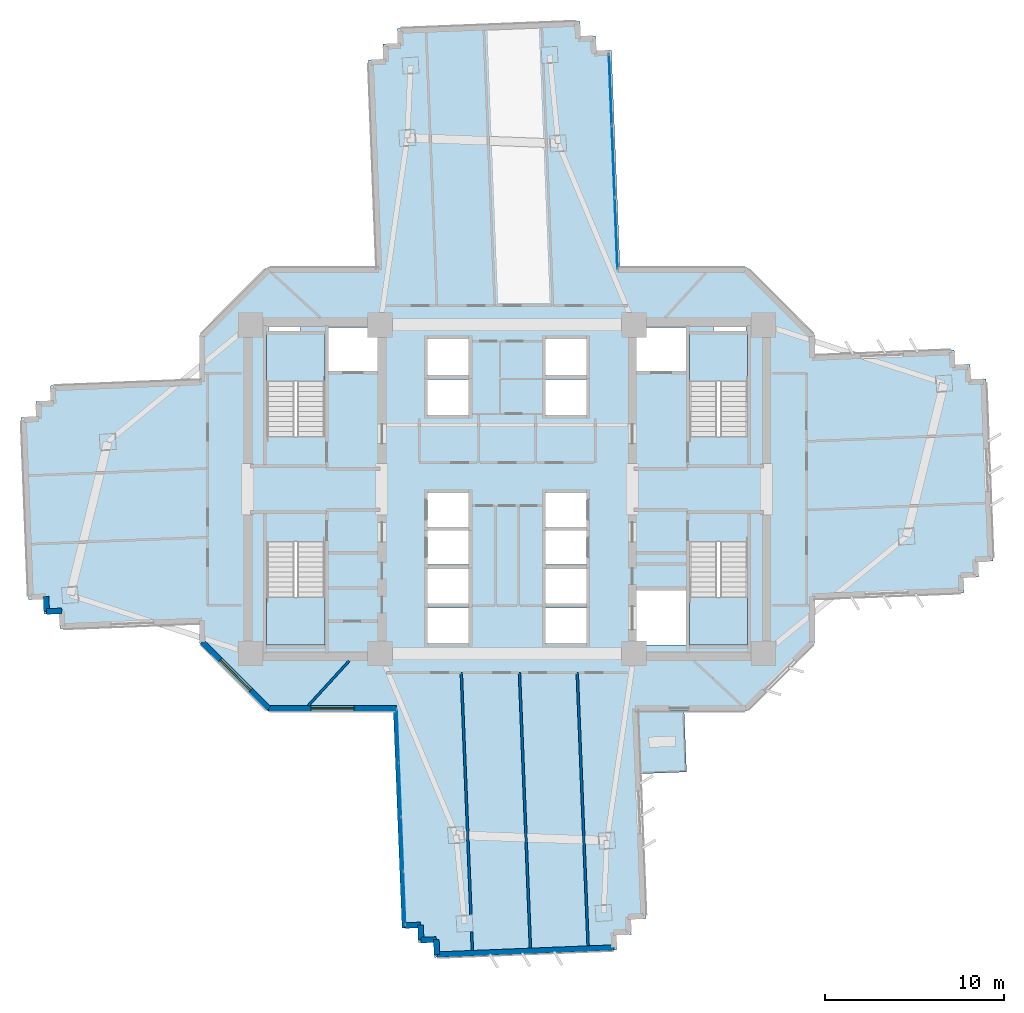
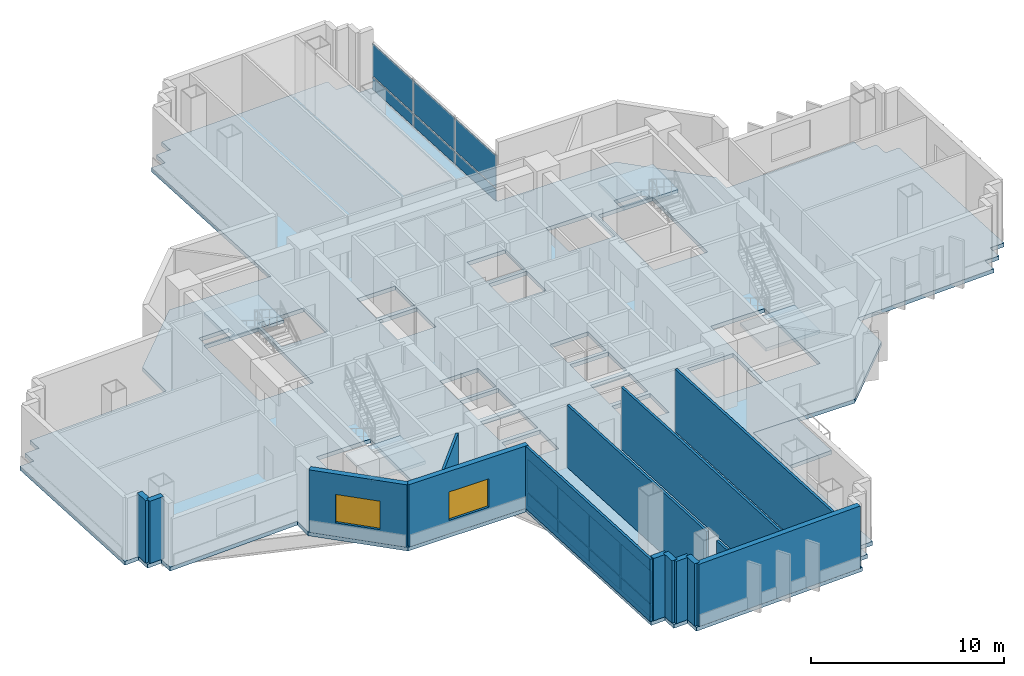
# One storey, part 5 of 16: 15 walls, 14 plates, 6 slabs, 2 windows, 2 openings, 6 elements without a shape of their own.
"""IFC4 building model written with IfcOpenShell, lengths in metres."""

from ifc_helpers import new_model, si_unit, direction, frame, frame_2d, origin, origin_2d, place, context, subcontext, project, spatial, polyline, rectangle, outline, extrude, source, transform, mapped, material, layer, layer_set, type_object, element, fill, aggregate, save


model = new_model("IFC4")

# Units and contexts
model_context = context("Model", 3, precision=1e-05, world=origin(), true_north=direction((0.0, 1.0)))
body_context = subcontext(model_context, "Body", "Model", "MODEL_VIEW")
ifc_project = project(units=[si_unit("LENGTHUNIT", "METRE"), si_unit("AREAUNIT", "SQUARE_METRE"), si_unit("VOLUMEUNIT", "CUBIC_METRE"), si_unit("PLANEANGLEUNIT", "RADIAN"), si_unit("MASSUNIT", "GRAM", prefix="KILO")], contexts=[model_context])

# Site, building, storey
site_placement = place(None, origin())
site = spatial("IfcSite", under=ifc_project, at=site_placement, CompositionType="ELEMENT")
building_placement = place(site_placement, origin())
building = spatial("IfcBuilding", under=site, at=building_placement, Name="Zahravan Cultural Tower", CompositionType="ELEMENT")
storey_placement = place(building_placement, frame((0.0, 0.0, 58.5)))
storey = spatial("IfcBuildingStorey", under=building, at=storey_placement, Name="L12", CompositionType="ELEMENT", Elevation=58.5)

# Stair, slab
ifc_material_1 = material(Name="Concrete C45/55", Category="concrete")
stair_type = type_object("IfcStairType", Name="STR-DL-1550-420", PredefinedType="HALF_TURN_STAIR", material=ifc_material_1)
stair_1_placement = place(storey_placement, origin())
stair_1 = element("IfcStair", 1, at=stair_1_placement, inside=storey, type_object=stair_type, Name="L12 West Core North Exit Stair ST-W1", PredefinedType="HALF_TURN_STAIR")
ifc_layer_1 = layer(ifc_material_1, 0.199951171875)
ifc_layer_set_1 = layer_set([ifc_layer_1], Name="Concrete C45/55")
slab_type_1 = type_object("IfcSlabType", Name="SL-STAIR-LND200", PredefinedType="LANDING", material=ifc_layer_set_1)
slab_1_placement = place(storey_placement, frame((0.0, 0.0, 1.89990234375)))
slab_1 = element("IfcSlab", 2, at=slab_1_placement, type_object=slab_type_1, Name="ST-W1 landing 1", PredefinedType="LANDING", context=body_context, shape_type="SweptSolid", body=[
    extrude(outline(polyline([(25.800048828125, 33.030029296875), (25.800048828125, 35.699951171875), (22.550048828125, 35.699951171875), (22.550048828125, 33.030029296875), (25.800048828125, 33.030029296875)])), origin(), (0.0, 0.0, 1.0), 0.2001953125),
])
aggregate(stair_1, [slab_1])

stair_2_placement = place(storey_placement, origin())
stair_2 = element("IfcStair", 3, at=stair_2_placement, inside=storey, type_object=stair_type, Name="L12 West Core South Exit Stair ST-W2", PredefinedType="HALF_TURN_STAIR")
slab_2_placement = place(storey_placement, frame((0.0, 0.0, 1.89990234375)))
slab_2 = element("IfcSlab", 4, at=slab_2_placement, type_object=slab_type_1, Name="ST-W2 landing 1", PredefinedType="LANDING", context=body_context, shape_type="SweptSolid", body=[
    extrude(outline(polyline([(22.550048828125, 20.969970703125), (22.550048828125, 18.300048828125), (25.800048828125, 18.300048828125), (25.800048828125, 20.969970703125), (22.550048828125, 20.969970703125)])), origin(), (0.0, 0.0, 1.0), 0.2001953125),
])
aggregate(stair_2, [slab_2])

stair_3_placement = place(storey_placement, origin())
stair_3 = element("IfcStair", 5, at=stair_3_placement, inside=storey, type_object=stair_type, Name="L12 East Core North Exit Stair ST-E1", PredefinedType="HALF_TURN_STAIR")
slab_3_placement = place(storey_placement, frame((0.0, 0.0, 1.89990234375)))
slab_3 = element("IfcSlab", 6, at=slab_3_placement, type_object=slab_type_1, Name="ST-E1 landing 1", PredefinedType="LANDING", context=body_context, shape_type="SweptSolid", body=[
    extrude(outline(polyline([(49.449951171875, 33.030029296875), (49.449951171875, 35.699951171875), (46.199951171875, 35.699951171875), (46.199951171875, 33.030029296875), (49.449951171875, 33.030029296875)])), origin(), (0.0, 0.0, 1.0), 0.2001953125),
])
aggregate(stair_3, [slab_3])

stair_4_placement = place(storey_placement, origin())
stair_4 = element("IfcStair", 7, at=stair_4_placement, inside=storey, type_object=stair_type, Name="L12 East Core South Exit Stair ST-E2", PredefinedType="HALF_TURN_STAIR")
slab_4_placement = place(storey_placement, frame((0.0, 0.0, 1.89990234375)))
slab_4 = element("IfcSlab", 8, at=slab_4_placement, type_object=slab_type_1, Name="ST-E2 landing 1", PredefinedType="LANDING", context=body_context, shape_type="SweptSolid", body=[
    extrude(outline(polyline([(46.199951171875, 20.969970703125), (46.199951171875, 18.300048828125), (49.449951171875, 18.300048828125), (49.449951171875, 20.969970703125), (46.199951171875, 20.969970703125)])), origin(), (0.0, 0.0, 1.0), 0.2001953125),
])
aggregate(stair_4, [slab_4])

# Slabs
ifc_material_2 = material(Name="Concrete C40/50", Category="concrete")
ifc_layer_2 = layer(ifc_material_2, 0.239990234375)
ifc_layer_set_2 = layer_set([ifc_layer_2], Name="Concrete C40/50")
slab_type_2 = type_object("IfcSlabType", Name="SL-TERR-240", PredefinedType="FLOOR", material=ifc_layer_set_2)
slab_5_placement = place(storey_placement, frame((0.0, 0.0, -0.239990234375)))
element("IfcSlab", 9, at=slab_5_placement, inside=storey, type_object=slab_type_2, Name="L12 Planted Sculpture Terrace SE", PredefinedType="FLOOR", context=body_context, shape_type="SweptSolid", body=[
    extrude(outline(polyline([(46.037109375, 11.186767578125), (45.9013671875, 14.594970703125), (43.30419921875, 14.594970703125), (43.444091796875, 11.08349609375), (46.037109375, 11.186767578125)])), origin(), (0.0, 0.0, 1.0), 0.239990234375),
])
ifc_layer_3 = layer(ifc_material_2, 0.25)
ifc_layer_set_3 = layer_set([ifc_layer_3], Name="Concrete C40/50")
slab_type_3 = type_object("IfcSlabType", Name="SL-TYP-250", PredefinedType="FLOOR", material=ifc_layer_set_3)
slab_6_placement = place(storey_placement, frame((0.0, 0.0, -0.25)))
element("IfcSlab", 10, at=slab_6_placement, inside=storey, type_object=slab_type_3, Name="L12 Structural Floor Slab", PredefinedType="FLOOR", context=body_context, shape_type="SweptSolid", body=[
    extrude(outline(polyline([(53.199951171875, 34.490234375), (53.199951171875, 35.60009765625), (49.39990234375, 39.39990234375), (42.311767578125, 39.39990234375), (41.827880859375, 51.55126953125), (40.978515625, 51.517578125), (40.944580078125, 52.36669921875), (40.095458984375, 52.3330078125), (40.0615234375, 53.182373046875), (29.86962890625, 52.776611328125), (29.903564453125, 51.92724609375), (29.05419921875, 51.893310546875), (29.087890625, 51.044189453125), (28.23876953125, 51.01025390625), (28.700927734375, 39.39990234375), (22.60009765625, 39.39990234375), (18.800048828125, 35.60009765625), (18.800048828125, 33.12060546875), (10.449462890625, 32.7880859375), (10.4833984375, 31.938720703125), (9.634033203125, 31.905029296875), (9.667724609375, 31.0556640625), (8.818603515625, 31.021728515625), (9.224365234375, 20.829833984375), (10.073486328125, 20.86376953125), (10.107421875, 20.014404296875), (10.956787109375, 20.048095703125), (10.990478515625, 19.198974609375), (18.800048828125, 19.509765625), (18.800048828125, 18.39990234375), (22.60009765625, 14.60009765625), (29.688232421875, 14.60009765625), (30.172119140625, 2.44873046875), (31.021484375, 2.482421875), (31.055419921875, 1.63330078125), (31.904541015625, 1.6669921875), (31.9384765625, 0.817626953125), (42.13037109375, 1.223388671875), (42.096435546875, 2.07275390625), (42.94580078125, 2.106689453125), (42.912109375, 2.955810546875), (43.76123046875, 2.98974609375), (43.299072265625, 14.60009765625), (49.39990234375, 14.60009765625), (53.199951171875, 18.39990234375), (53.199951171875, 20.87939453125), (61.550537109375, 21.2119140625), (61.5166015625, 22.061279296875), (62.365966796875, 22.094970703125), (62.332275390625, 22.9443359375), (63.181396484375, 22.978271484375), (62.775634765625, 33.170166015625), (61.926513671875, 33.13623046875), (61.892578125, 33.985595703125), (61.043212890625, 33.951904296875), (61.009521484375, 34.801025390625), (53.199951171875, 34.490234375)]), holes=[polyline([(22.550048828125, 29.949951171875), (22.550048828125, 35.699951171875), (25.800048828125, 35.699951171875), (25.800048828125, 29.949951171875), (22.550048828125, 29.949951171875)]), polyline([(22.550048828125, 18.300048828125), (22.550048828125, 24.050048828125), (25.800048828125, 24.050048828125), (25.800048828125, 18.300048828125), (22.550048828125, 18.300048828125)]), polyline([(46.199951171875, 29.949951171875), (46.199951171875, 35.699951171875), (49.449951171875, 35.699951171875), (49.449951171875, 29.949951171875), (46.199951171875, 29.949951171875)]), polyline([(46.199951171875, 18.300048828125), (46.199951171875, 24.050048828125), (49.449951171875, 24.050048828125), (49.449951171875, 18.300048828125), (46.199951171875, 18.300048828125)]), polyline([(26.0, 33.60009765625), (26.0, 36.050048828125), (28.75, 36.050048828125), (28.75, 33.60009765625), (26.0, 33.60009765625)]), polyline([(43.25, 33.60009765625), (43.25, 36.050048828125), (46.0, 36.050048828125), (46.0, 33.60009765625), (43.25, 33.60009765625)]), polyline([(43.25, 18.300048828125), (43.25, 21.35009765625), (46.0, 21.35009765625), (46.0, 18.300048828125), (43.25, 18.300048828125)]), polyline([(31.550048828125, 33.39990234375), (31.550048828125, 35.39990234375), (33.85009765625, 35.39990234375), (33.85009765625, 33.39990234375), (31.550048828125, 33.39990234375)]), polyline([(31.550048828125, 31.14990234375), (31.550048828125, 33.14990234375), (33.85009765625, 33.14990234375), (33.85009765625, 31.14990234375), (31.550048828125, 31.14990234375)]), polyline([(38.14990234375, 33.39990234375), (38.14990234375, 35.39990234375), (40.449951171875, 35.39990234375), (40.449951171875, 33.39990234375), (38.14990234375, 33.39990234375)]), polyline([(38.14990234375, 31.14990234375), (38.14990234375, 33.14990234375), (40.449951171875, 33.14990234375), (40.449951171875, 31.14990234375), (38.14990234375, 31.14990234375)]), polyline([(31.550048828125, 20.60009765625), (31.550048828125, 22.550048828125), (33.85009765625, 22.550048828125), (33.85009765625, 20.60009765625), (31.550048828125, 20.60009765625)]), polyline([(31.550048828125, 18.39990234375), (31.550048828125, 20.35009765625), (33.85009765625, 20.35009765625), (33.85009765625, 18.39990234375), (31.550048828125, 18.39990234375)]), polyline([(38.14990234375, 20.60009765625), (38.14990234375, 22.550048828125), (40.449951171875, 22.550048828125), (40.449951171875, 20.60009765625), (38.14990234375, 20.60009765625)]), polyline([(38.14990234375, 18.39990234375), (38.14990234375, 20.35009765625), (40.449951171875, 20.35009765625), (40.449951171875, 18.39990234375), (38.14990234375, 18.39990234375)]), polyline([(31.550048828125, 24.89990234375), (31.550048828125, 26.800048828125), (33.85009765625, 26.800048828125), (33.85009765625, 24.89990234375), (31.550048828125, 24.89990234375)]), polyline([(31.550048828125, 22.800048828125), (31.550048828125, 24.699951171875), (33.85009765625, 24.699951171875), (33.85009765625, 22.800048828125), (31.550048828125, 22.800048828125)]), polyline([(38.14990234375, 24.89990234375), (38.14990234375, 26.800048828125), (40.449951171875, 26.800048828125), (40.449951171875, 24.89990234375), (38.14990234375, 24.89990234375)]), polyline([(38.14990234375, 22.800048828125), (38.14990234375, 24.699951171875), (40.449951171875, 24.699951171875), (40.449951171875, 22.800048828125), (38.14990234375, 22.800048828125)]), polyline([(22.64990234375, 35.800048828125), (22.64990234375, 36.419921875), (24.449951171875, 36.419921875), (24.449951171875, 35.800048828125), (22.64990234375, 35.800048828125)]), polyline([(47.550048828125, 35.800048828125), (47.550048828125, 36.419921875), (49.35009765625, 36.419921875), (49.35009765625, 35.800048828125), (47.550048828125, 35.800048828125)])]), origin(), (0.0, 0.0, 1.0), 0.25),
])

# Curtain wall, plates
ifc_material_3 = material(Name="Anodised bronze-aluminium mullion", Category="aluminium")
ifc_layer_4 = layer(ifc_material_3, 0.1650390625)
ifc_layer_set_4 = layer_set([ifc_layer_4], Name="Anodised bronze-aluminium mullion")
curtain_wall_type_1 = type_object("IfcCurtainWallType", Name="CW-SYS-4", PredefinedType="USERDEFINED", material=ifc_layer_set_4)
curtain_wall_1_placement = place(storey_placement, origin())
curtain_wall_1 = element("IfcCurtainWall", 11, at=curtain_wall_1_placement, inside=storey, type_object=curtain_wall_type_1, Name="L12 Recessed Curtain Wall CW-4.1", ObjectType="RECESSED GLAZING", PredefinedType="USERDEFINED")
ifc_material_4 = material(Name="Low-E solar-control double glazing", Category="glass")
ifc_layer_5 = layer(ifc_material_4, 0.02587890625)
ifc_layer_set_5 = layer_set([ifc_layer_5], Name="Low-E solar-control double glazing")
plate_type_1 = type_object("IfcPlateType", Name="CWP-CW-4", PredefinedType="CURTAIN_PANEL", material=ifc_layer_set_5)
shared_shape_1 = source(origin(), body_context, "Body", "SweptSolid", [
    extrude(rectangle(XDim=2.94140625, YDim=0.02587890625, at=origin_2d()), origin(), (0.0, 0.0, 1.0), 0.802490234375),
])
plate_1_placement = place(storey_placement, frame((30.245361328125, 4.128662109375, 0.06494140625), z_axis=(0.0, 0.0, 1.0), x_axis=(-0.039784709273, 0.99920827504, 0.0)))
plate_1 = element("IfcPlate", 12, at=plate_1_placement, type_object=plate_type_1, Name="CW-4 panel 1.1", PredefinedType="CURTAIN_PANEL", context=body_context, shape_type="MappedRepresentation", body=[
    mapped(shared_shape_1, transform((0.0, 0.0, 0.0), x_axis=(1.0, 0.0, 0.0), y_axis=(0.0, 1.0, 0.0), z_axis=(0.0, 0.0, 1.0), scale=1.0)),
])
plate_2_placement = place(storey_placement, frame((29.8837890625, 13.20556640625, 0.06494140625), z_axis=(0.0, 0.0, 1.0), x_axis=(-0.039784709273, 0.99920827504, 0.0)))
plate_2 = element("IfcPlate", 13, at=plate_2_placement, type_object=plate_type_1, Name="CW-4 panel 4.1", PredefinedType="CURTAIN_PANEL", context=body_context, shape_type="MappedRepresentation", body=[
    mapped(shared_shape_1, transform((0.0, 0.0, 0.0), x_axis=(1.0, 0.0, 0.0), y_axis=(0.0, 1.0, 0.0), z_axis=(0.0, 0.0, 1.0), scale=1.0)),
])
shared_shape_2 = source(origin(), body_context, "Body", "SweptSolid", [
    extrude(rectangle(XDim=2.94140625, YDim=0.02587890625, at=origin_2d()), origin(), (0.0, 0.0, 1.0), 2.072509765625),
])
plate_3_placement = place(storey_placement, frame((30.245361328125, 4.128662109375, 0.9326171875), z_axis=(0.0, 0.0, 1.0), x_axis=(-0.039784709273, 0.99920827504, 0.0)))
plate_3 = element("IfcPlate", 14, at=plate_3_placement, type_object=plate_type_1, Name="CW-4 panel 1.2", PredefinedType="CURTAIN_PANEL", context=body_context, shape_type="MappedRepresentation", body=[
    mapped(shared_shape_2, transform((0.0, 0.0, 0.0), x_axis=(1.0, 0.0, 0.0), y_axis=(0.0, 1.0, 0.0), z_axis=(0.0, 0.0, 1.0), scale=1.0)),
])
plate_4_placement = place(storey_placement, frame((29.8837890625, 13.20556640625, 0.9326171875), z_axis=(0.0, 0.0, 1.0), x_axis=(-0.039784709273, 0.99920827504, 0.0)))
plate_4 = element("IfcPlate", 15, at=plate_4_placement, type_object=plate_type_1, Name="CW-4 panel 4.2", PredefinedType="CURTAIN_PANEL", context=body_context, shape_type="MappedRepresentation", body=[
    mapped(shared_shape_2, transform((0.0, 0.0, 0.0), x_axis=(1.0, 0.0, 0.0), y_axis=(0.0, 1.0, 0.0), z_axis=(0.0, 0.0, 1.0), scale=1.0)),
])
shared_shape_3 = source(origin(), body_context, "Body", "SweptSolid", [
    extrude(rectangle(XDim=2.973876953125, YDim=0.02587890625, at=origin_2d()), origin(), (0.0, 0.0, 1.0), 0.802490234375),
])
plate_5_placement = place(storey_placement, frame((30.125, 7.14892578125, 0.06494140625), z_axis=(0.0, 0.0, 1.0), x_axis=(-0.039784709273, 0.99920827504, 0.0)))
plate_5 = element("IfcPlate", 16, at=plate_5_placement, type_object=plate_type_1, Name="CW-4 panel 2.1", PredefinedType="CURTAIN_PANEL", context=body_context, shape_type="MappedRepresentation", body=[
    mapped(shared_shape_3, transform((0.0, 0.0, 0.0), x_axis=(1.0, 0.0, 0.0), y_axis=(0.0, 1.0, 0.0), z_axis=(0.0, 0.0, 1.0), scale=1.0)),
])
plate_6_placement = place(storey_placement, frame((30.004150390625, 10.185302734375, 0.06494140625), z_axis=(0.0, 0.0, 1.0), x_axis=(-0.039784709273, 0.99920827504, 0.0)))
plate_6 = element("IfcPlate", 17, at=plate_6_placement, type_object=plate_type_1, Name="CW-4 panel 3.1", PredefinedType="CURTAIN_PANEL", context=body_context, shape_type="MappedRepresentation", body=[
    mapped(shared_shape_3, transform((0.0, 0.0, 0.0), x_axis=(1.0, 0.0, 0.0), y_axis=(0.0, 1.0, 0.0), z_axis=(0.0, 0.0, 1.0), scale=1.0)),
])
shared_shape_4 = source(origin(), body_context, "Body", "SweptSolid", [
    extrude(rectangle(XDim=2.973876953125, YDim=0.02587890625, at=origin_2d()), origin(), (0.0, 0.0, 1.0), 2.072509765625),
])
plate_7_placement = place(storey_placement, frame((30.125, 7.14892578125, 0.9326171875), z_axis=(0.0, 0.0, 1.0), x_axis=(-0.039784709273, 0.99920827504, 0.0)))
plate_7 = element("IfcPlate", 18, at=plate_7_placement, type_object=plate_type_1, Name="CW-4 panel 2.2", PredefinedType="CURTAIN_PANEL", context=body_context, shape_type="MappedRepresentation", body=[
    mapped(shared_shape_4, transform((0.0, 0.0, 0.0), x_axis=(1.0, 0.0, 0.0), y_axis=(0.0, 1.0, 0.0), z_axis=(0.0, 0.0, 1.0), scale=1.0)),
])
plate_8_placement = place(storey_placement, frame((30.004150390625, 10.185302734375, 0.9326171875), z_axis=(0.0, 0.0, 1.0), x_axis=(-0.039784709273, 0.99920827504, 0.0)))
plate_8 = element("IfcPlate", 19, at=plate_8_placement, type_object=plate_type_1, Name="CW-4 panel 3.2", PredefinedType="CURTAIN_PANEL", context=body_context, shape_type="MappedRepresentation", body=[
    mapped(shared_shape_4, transform((0.0, 0.0, 0.0), x_axis=(1.0, 0.0, 0.0), y_axis=(0.0, 1.0, 0.0), z_axis=(0.0, 0.0, 1.0), scale=1.0)),
])
aggregate(curtain_wall_1, [plate_1, plate_3, plate_5, plate_7, plate_6, plate_8, plate_2, plate_4])

ifc_layer_6 = layer(ifc_material_3, 0.219970703125)
ifc_layer_set_6 = layer_set([ifc_layer_6], Name="Anodised bronze-aluminium mullion")
curtain_wall_type_2 = type_object("IfcCurtainWallType", Name="CW-SYS-1", PredefinedType="USERDEFINED", material=ifc_layer_set_6)
curtain_wall_2_placement = place(storey_placement, origin())
curtain_wall_2 = element("IfcCurtainWall", 20, at=curtain_wall_2_placement, inside=storey, type_object=curtain_wall_type_2, Name="L12 Recessed Curtain Wall CW-1.2", ObjectType="RECESSED GLAZING", PredefinedType="USERDEFINED")
ifc_layer_7 = layer(ifc_material_4, 0.031982421875)
ifc_layer_set_7 = layer_set([ifc_layer_7], Name="Low-E solar-control double glazing")
plate_type_2 = type_object("IfcPlateType", Name="CWP-CW-1", PredefinedType="CURTAIN_PANEL", material=ifc_layer_set_7)
shared_shape_5 = source(origin(), body_context, "Body", "SweptSolid", [
    extrude(rectangle(XDim=3.931884765625, YDim=0.031982421875, at=origin_2d()), origin(), (0.0, 0.0, 1.0), 0.780029296875),
])
plate_9_placement = place(storey_placement, frame((41.77490234375, 49.361572265625, 0.080078125), z_axis=(0.0, 0.0, 1.0), x_axis=(0.039784709273, -0.99920827504, 0.0)))
plate_9 = element("IfcPlate", 21, at=plate_9_placement, type_object=plate_type_2, Name="CW-1 panel 1.1", PredefinedType="CURTAIN_PANEL", context=body_context, shape_type="MappedRepresentation", body=[
    mapped(shared_shape_5, transform((0.0, 0.0, 0.0), x_axis=(1.0, 0.0, 0.0), y_axis=(0.0, 1.0, 0.0), z_axis=(0.0, 0.0, 1.0), scale=1.0)),
])
plate_10_placement = place(storey_placement, frame((42.095703125, 41.30419921875, 0.080078125), z_axis=(0.0, 0.0, 1.0), x_axis=(0.039784709273, -0.99920827504, 0.0)))
plate_10 = element("IfcPlate", 22, at=plate_10_placement, type_object=plate_type_2, Name="CW-1 panel 3.1", PredefinedType="CURTAIN_PANEL", context=body_context, shape_type="MappedRepresentation", body=[
    mapped(shared_shape_5, transform((0.0, 0.0, 0.0), x_axis=(1.0, 0.0, 0.0), y_axis=(0.0, 1.0, 0.0), z_axis=(0.0, 0.0, 1.0), scale=1.0)),
])
shared_shape_6 = source(origin(), body_context, "Body", "SweptSolid", [
    extrude(rectangle(XDim=3.931884765625, YDim=0.031982421875, at=origin_2d()), origin(), (0.0, 0.0, 1.0), 2.050048828125),
])
plate_11_placement = place(storey_placement, frame((41.77490234375, 49.361572265625, 0.93994140625), z_axis=(0.0, 0.0, 1.0), x_axis=(0.039784709273, -0.99920827504, 0.0)))
plate_11 = element("IfcPlate", 23, at=plate_11_placement, type_object=plate_type_2, Name="CW-1 panel 1.2", PredefinedType="CURTAIN_PANEL", context=body_context, shape_type="MappedRepresentation", body=[
    mapped(shared_shape_6, transform((0.0, 0.0, 0.0), x_axis=(1.0, 0.0, 0.0), y_axis=(0.0, 1.0, 0.0), z_axis=(0.0, 0.0, 1.0), scale=1.0)),
])
plate_12_placement = place(storey_placement, frame((42.095703125, 41.30419921875, 0.93994140625), z_axis=(0.0, 0.0, 1.0), x_axis=(0.039784709273, -0.99920827504, 0.0)))
plate_12 = element("IfcPlate", 24, at=plate_12_placement, type_object=plate_type_2, Name="CW-1 panel 3.2", PredefinedType="CURTAIN_PANEL", context=body_context, shape_type="MappedRepresentation", body=[
    mapped(shared_shape_6, transform((0.0, 0.0, 0.0), x_axis=(1.0, 0.0, 0.0), y_axis=(0.0, 1.0, 0.0), z_axis=(0.0, 0.0, 1.0), scale=1.0)),
])
shared_shape_7 = source(origin(), body_context, "Body", "SweptSolid", [
    extrude(rectangle(XDim=3.971923828125, YDim=0.031982421875, at=origin_2d()), origin(), (0.0, 0.0, 1.0), 0.780029296875),
])
plate_13_placement = place(storey_placement, frame((41.935302734375, 45.3330078125, 0.080078125), z_axis=(0.0, 0.0, 1.0), x_axis=(0.039784709273, -0.99920827504, 0.0)))
plate_13 = element("IfcPlate", 25, at=plate_13_placement, type_object=plate_type_2, Name="CW-1 panel 2.1", PredefinedType="CURTAIN_PANEL", context=body_context, shape_type="MappedRepresentation", body=[
    mapped(shared_shape_7, transform((0.0, 0.0, 0.0), x_axis=(1.0, 0.0, 0.0), y_axis=(0.0, 1.0, 0.0), z_axis=(0.0, 0.0, 1.0), scale=1.0)),
])
shared_shape_8 = source(origin(), body_context, "Body", "SweptSolid", [
    extrude(rectangle(XDim=3.971923828125, YDim=0.031982421875, at=origin_2d()), origin(), (0.0, 0.0, 1.0), 2.050048828125),
])
plate_14_placement = place(storey_placement, frame((41.935302734375, 45.3330078125, 0.93994140625), z_axis=(0.0, 0.0, 1.0), x_axis=(0.039784709273, -0.99920827504, 0.0)))
plate_14 = element("IfcPlate", 26, at=plate_14_placement, type_object=plate_type_2, Name="CW-1 panel 2.2", PredefinedType="CURTAIN_PANEL", context=body_context, shape_type="MappedRepresentation", body=[
    mapped(shared_shape_8, transform((0.0, 0.0, 0.0), x_axis=(1.0, 0.0, 0.0), y_axis=(0.0, 1.0, 0.0), z_axis=(0.0, 0.0, 1.0), scale=1.0)),
])
aggregate(curtain_wall_2, [plate_9, plate_11, plate_13, plate_14, plate_10, plate_12])

# Wall, opening, window
ifc_material_5 = material(Name="Precast concrete C40/50", Category="concrete")
ifc_layer_8 = layer(ifc_material_5, 0.320068359375)
ifc_layer_set_8 = layer_set([ifc_layer_8], Name="Precast concrete C40/50")
wall_type_1 = type_object("IfcWallType", Name="EW-TC-320", PredefinedType="SOLIDWALL", material=ifc_layer_set_8)
wall_1_placement = place(storey_placement, frame((29.82275390625, 14.739990234375, 0.0), z_axis=(0.0, 0.0, 1.0), x_axis=(-1.0, 0.0, 0.0)))
wall_1 = element("IfcWall", 27, at=wall_1_placement, inside=storey, type_object=wall_type_1, Name="L12 Exterior Masonry Frame Wall 25", PredefinedType="SOLIDWALL", context=body_context, shape_type="SweptSolid", body=[
    extrude(rectangle(XDim=7.164794921875, YDim=0.320068359375, at=frame_2d((3.58251953125, 0.0))), origin(), (0.0, 0.0, 1.0), 3.949951171875),
])
opening_1_placement = place(wall_1_placement, frame((2.382080078125, 0.0, 0.85009765625)))
opening_1 = element("IfcOpeningElement", 28, at=opening_1_placement, cuts=wall_1, Name="Opening WN-01", PredefinedType="OPENING", context=body_context, shape_type="SweptSolid", body=[
    extrude(rectangle(XDim=2.39990234375, YDim=1.800048828125, at=frame_2d((1.199951171875, 0.89990234375))), frame((0.0, 0.169921875, 0.0), z_axis=(0.0, -1.0, 0.0), x_axis=(1.0, 0.0, 0.0)), (0.0, 0.0, 1.0), 0.340087890625),
])
window_type = type_object("IfcWindowType", Name="WN-REC-2400X1800", PartitioningType="DOUBLE_PANEL_VERTICAL", PredefinedType="WINDOW", material=ifc_material_4)
shared_shape_9 = source(origin(), body_context, "Body", "SweptSolid", [
    extrude(rectangle(XDim=2.39990234375, YDim=1.800048828125, at=frame_2d((1.199951171875, 0.89990234375))), frame((0.0, 0.030029296875, 0.0), z_axis=(0.0, -1.0, 0.0), x_axis=(1.0, 0.0, 0.0)), (0.0, 0.0, 1.0), 0.06005859375),
])
window_1_placement = place(opening_1_placement, origin())
window_1 = element("IfcWindow", 29, at=window_1_placement, inside=storey, type_object=window_type, Name="L12 Recessed Solar Window 06", OverallHeight=1.800048828125, OverallWidth=2.39990234375, PartitioningType="DOUBLE_PANEL_VERTICAL", PredefinedType="WINDOW", context=body_context, shape_type="MappedRepresentation", body=[
    mapped(shared_shape_9, transform((0.0, 0.0, 0.0), x_axis=(1.0, 0.0, 0.0), y_axis=(0.0, 1.0, 0.0), z_axis=(0.0, 0.0, 1.0), scale=1.0)),
])
fill(opening_1, window_1)

wall_2_placement = place(storey_placement, frame((22.657958984375, 14.739990234375, 0.0), z_axis=(0.0, 0.0, 1.0), x_axis=(-0.707106781187, 0.707106781187, 0.0)))
wall_2 = element("IfcWall", 30, at=wall_2_placement, inside=storey, type_object=wall_type_1, Name="L12 Exterior Masonry Frame Wall 26", PredefinedType="SOLIDWALL", context=body_context, shape_type="SweptSolid", body=[
    extrude(rectangle(XDim=5.258056640625, YDim=0.320068359375, at=frame_2d((2.62890625, 0.0))), origin(), (0.0, 0.0, 1.0), 3.949951171875),
])
opening_2_placement = place(wall_2_placement, frame((1.428955078125, 0.0, 0.85009765625)))
opening_2 = element("IfcOpeningElement", 31, at=opening_2_placement, cuts=wall_2, Name="Opening WN-01", PredefinedType="OPENING", context=body_context, shape_type="SweptSolid", body=[
    extrude(rectangle(XDim=2.39990234375, YDim=1.800048828125, at=frame_2d((1.199951171875, 0.89990234375))), frame((0.0, 0.169921875, 0.0), z_axis=(0.0, -1.0, 0.0), x_axis=(1.0, 0.0, 0.0)), (0.0, 0.0, 1.0), 0.340087890625),
])
window_2_placement = place(opening_2_placement, origin())
window_2 = element("IfcWindow", 32, at=window_2_placement, inside=storey, type_object=window_type, Name="L12 Recessed Solar Window 07", OverallHeight=1.800048828125, OverallWidth=2.39990234375, PartitioningType="DOUBLE_PANEL_VERTICAL", PredefinedType="WINDOW", context=body_context, shape_type="MappedRepresentation", body=[
    mapped(shared_shape_9, transform((0.0, 0.0, 0.0), x_axis=(1.0, 0.0, 0.0), y_axis=(0.0, 1.0, 0.0), z_axis=(0.0, 0.0, 1.0), scale=1.0)),
])
fill(opening_2, window_2)

# Walls
shared_shape_10 = source(origin(), body_context, "Body", "SweptSolid", [
    extrude(rectangle(XDim=0.849853515625, YDim=0.320068359375, at=frame_2d((0.4248046875, 0.0))), origin(), (0.0, 0.0, 1.0), 3.949951171875),
])
for number, where, z_axis, x_axis, name in (
    (33, (32.038818359375, 1.8125, 0.0), (0.0, 0.0, 1.0), (-0.999213757356, -0.039646779332, 0.0), "L12 Exterior Masonry Frame Wall 22"),
    (34, (31.189697265625, 1.77880859375, 0.0), (0.0, 0.0, 1.0), (-0.039933618331, 0.999202334929, 0.0), "L12 Exterior Masonry Frame Wall 23"),
):
    element("IfcWall", number, at=place(storey_placement, frame(where, z_axis=z_axis, x_axis=x_axis)), inside=storey, type_object=wall_type_1, Name=name, PredefinedType="SOLIDWALL", context=body_context, shape_type="MappedRepresentation", body=[
        mapped(shared_shape_10, transform((0.0, 0.0, 0.0), x_axis=(1.0, 0.0, 0.0), y_axis=(0.0, 1.0, 0.0), z_axis=(0.0, 0.0, 1.0), scale=1.0)),
    ])
shared_shape_11 = source(origin(), body_context, "Body", "SweptSolid", [
    extrude(rectangle(XDim=0.85009765625, YDim=0.320068359375, at=frame_2d((0.425048828125, 0.0))), origin(), (0.0, 0.0, 1.0), 3.949951171875),
])
for number, where, z_axis, x_axis, name in (
    (35, (32.07275390625, 0.963134765625, 0.0), (0.0, 0.0, 1.0), (-0.039922158152, 0.999202792875, 0.0), "L12 Exterior Masonry Frame Wall 21"),
    (36, (31.15576171875, 2.6279296875, 0.0), (0.0, 0.0, 1.0), (-0.999214208752, -0.039635401209, 0.0), "L12 Exterior Masonry Frame Wall 24"),
    (37, (11.091064453125, 20.193603515625, 0.0), (0.0, 0.0, 1.0), (-0.999214208752, -0.039635401209, 0.0), "L12 Exterior Masonry Frame Wall 30"),
    (38, (10.24169921875, 20.159912109375, 0.0), (0.0, 0.0, 1.0), (-0.039635401209, 0.999214208752, 0.0), "L12 Exterior Masonry Frame Wall 31"),
):
    element("IfcWall", number, at=place(storey_placement, frame(where, z_axis=z_axis, x_axis=x_axis)), inside=storey, type_object=wall_type_1, Name=name, PredefinedType="SOLIDWALL", context=body_context, shape_type="MappedRepresentation", body=[
        mapped(shared_shape_11, transform((0.0, 0.0, 0.0), x_axis=(1.0, 0.0, 0.0), y_axis=(0.0, 1.0, 0.0), z_axis=(0.0, 0.0, 1.0), scale=1.0)),
    ])
shared_shape_12 = source(origin(), body_context, "Body", "SweptSolid", [
    extrude(rectangle(XDim=9.919921875, YDim=0.320068359375, at=frame_2d((4.9599609375, 0.0))), origin(), (0.0, 0.0, 1.0), 3.949951171875),
])
wall_3_placement = place(storey_placement, frame((41.98486328125, 1.35791015625, 0.0), z_axis=(0.0, 0.0, 1.0), x_axis=(-0.999207823998, -0.039796035749, 0.0)))
element("IfcWall", 39, at=wall_3_placement, inside=storey, type_object=wall_type_1, Name="L12 Exterior Masonry Frame Wall 20", PredefinedType="SOLIDWALL", context=body_context, shape_type="MappedRepresentation", body=[
    mapped(shared_shape_12, transform((0.0, 0.0, 0.0), x_axis=(1.0, 0.0, 0.0), y_axis=(0.0, 1.0, 0.0), z_axis=(0.0, 0.0, 1.0), scale=1.0)),
])
ifc_material_6 = material(Name="Gypsum plasterboard partition")
ifc_layer_9 = layer(ifc_material_6, 0.139892578125)
ifc_layer_set_9 = layer_set([ifc_layer_9], Name="Gypsum plasterboard partition")
wall_type_2 = type_object("IfcWallType", Name="W-PART-140", PredefinedType="PARTITIONING", material=ifc_layer_set_9)
shared_shape_13 = source(origin(), body_context, "Body", "SweptSolid", [
    extrude(rectangle(XDim=15.415771484375, YDim=0.139892578125, at=frame_2d((7.7080078125, 0.0))), origin(), (0.0, 0.0, 1.0), 3.949951171875),
])
wall_4_placement = place(storey_placement, frame((37.302001953125, 1.33642578125, 0.0), z_axis=(0.0, 0.0, 1.0), x_axis=(-0.039782723686, 0.999208354096, 0.0)))
element("IfcWall", 40, at=wall_4_placement, inside=storey, type_object=wall_type_2, Name="L12 Interior Wall 100", PredefinedType="PARTITIONING", context=body_context, shape_type="MappedRepresentation", body=[
    mapped(shared_shape_13, transform((0.0, 0.0, 0.0), x_axis=(1.0, 0.0, 0.0), y_axis=(0.0, 1.0, 0.0), z_axis=(0.0, 0.0, 1.0), scale=1.0)),
])
shared_shape_14 = source(origin(), body_context, "Body", "SweptSolid", [
    extrude(rectangle(XDim=15.2861328125, YDim=0.139892578125, at=frame_2d((7.64306640625, 0.0))), origin(), (0.0, 0.0, 1.0), 3.949951171875),
])
wall_5_placement = place(storey_placement, frame((39.92138671875, 16.739013671875, 0.0), z_axis=(0.0, 0.0, 1.0), x_axis=(0.039769031662, -0.99920889914, 0.0)))
element("IfcWall", 41, at=wall_5_placement, inside=storey, type_object=wall_type_2, Name="L12 Interior Wall 102", PredefinedType="PARTITIONING", context=body_context, shape_type="MappedRepresentation", body=[
    mapped(shared_shape_14, transform((0.0, 0.0, 0.0), x_axis=(1.0, 0.0, 0.0), y_axis=(0.0, 1.0, 0.0), z_axis=(0.0, 0.0, 1.0), scale=1.0)),
])
shared_shape_15 = source(origin(), body_context, "Body", "SweptSolid", [
    extrude(rectangle(XDim=1.01611328125, YDim=0.139892578125, at=frame_2d((0.508056640625, 0.0))), origin(), (0.0, 0.0, 1.0), 3.949951171875),
])
wall_6_placement = place(storey_placement, frame((34.0546875, 1.207275390625, 0.0), z_axis=(0.0, 0.0, 1.0), x_axis=(-0.03988168596, 0.99920440908, 0.0)))
element("IfcWall", 42, at=wall_6_placement, inside=storey, type_object=wall_type_2, Name="L12 Interior Wall 106", PredefinedType="PARTITIONING", context=body_context, shape_type="MappedRepresentation", body=[
    mapped(shared_shape_15, transform((0.0, 0.0, 0.0), x_axis=(1.0, 0.0, 0.0), y_axis=(0.0, 1.0, 0.0), z_axis=(0.0, 0.0, 1.0), scale=1.0)),
])
shared_shape_16 = source(origin(), body_context, "Body", "SweptSolid", [
    extrude(rectangle(XDim=13.568115234375, YDim=0.139892578125, at=frame_2d((6.7841796875, 0.0))), origin(), (0.0, 0.0, 1.0), 3.949951171875),
])
wall_7_placement = place(storey_placement, frame((33.975830078125, 3.1826171875, 0.0), z_axis=(0.0, 0.0, 1.0), x_axis=(-0.039766111253, 0.99920901537, 0.0)))
element("IfcWall", 43, at=wall_7_placement, inside=storey, type_object=wall_type_2, Name="L12 Interior Wall 107", PredefinedType="PARTITIONING", context=body_context, shape_type="MappedRepresentation", body=[
    mapped(shared_shape_16, transform((0.0, 0.0, 0.0), x_axis=(1.0, 0.0, 0.0), y_axis=(0.0, 1.0, 0.0), z_axis=(0.0, 0.0, 1.0), scale=1.0)),
])
shared_shape_17 = source(origin(), body_context, "Body", "SweptSolid", [
    extrude(rectangle(XDim=3.374755859375, YDim=0.139892578125, at=frame_2d((1.6875, 0.0))), origin(), (0.0, 0.0, 1.0), 3.949951171875),
])
wall_8_placement = place(storey_placement, frame((27.161865234375, 17.39501953125, 0.0), z_axis=(0.0, 0.0, 1.0), x_axis=(-0.674974079893, -0.737841440604, 0.0)))
element("IfcWall", 44, at=wall_8_placement, inside=storey, type_object=wall_type_2, Name="L12 Interior Wall 122", PredefinedType="PARTITIONING", context=body_context, shape_type="MappedRepresentation", body=[
    mapped(shared_shape_17, transform((0.0, 0.0, 0.0), x_axis=(1.0, 0.0, 0.0), y_axis=(0.0, 1.0, 0.0), z_axis=(0.0, 0.0, 1.0), scale=1.0)),
])
shared_shape_18 = source(origin(), body_context, "Body", "SweptSolid", [
    extrude(rectangle(XDim=12.114990234375, YDim=0.139892578125, at=frame_2d((6.0576171875, 0.0))), origin(), (0.0, 0.0, 1.0), 3.949951171875),
])
wall_9_placement = place(storey_placement, frame((30.19140625, 2.469482421875, 0.0), z_axis=(0.0, 0.0, 1.0), x_axis=(-0.039799837716, 0.999207672568, 0.0)))
element("IfcWall", 45, at=wall_9_placement, inside=storey, type_object=wall_type_2, Name="L12 Interior Wall 126", PredefinedType="PARTITIONING", context=body_context, shape_type="MappedRepresentation", body=[
    mapped(shared_shape_18, transform((0.0, 0.0, 0.0), x_axis=(1.0, 0.0, 0.0), y_axis=(0.0, 1.0, 0.0), z_axis=(0.0, 0.0, 1.0), scale=1.0)),
])

save(model, "model.ifc")
